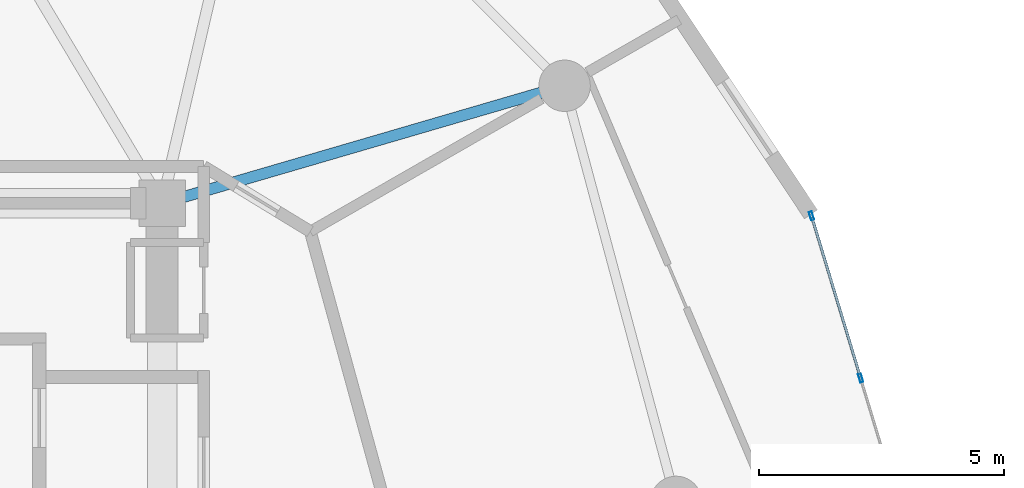
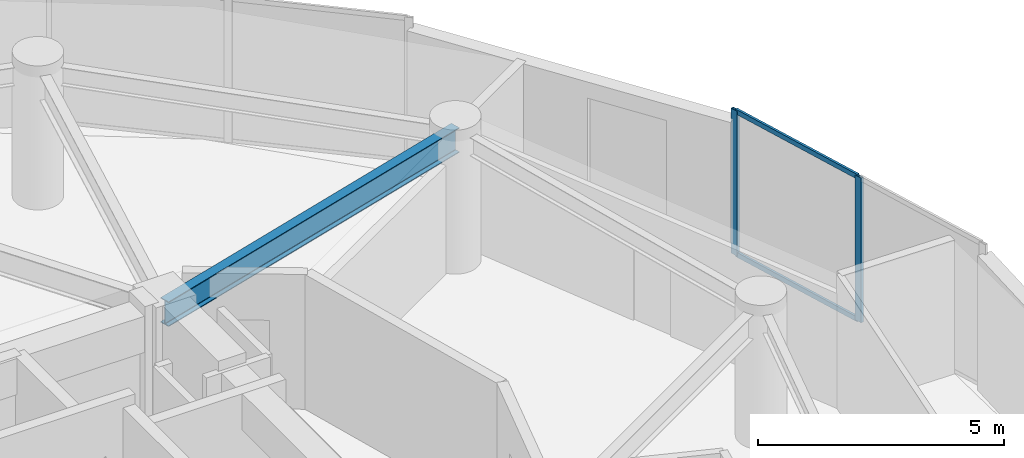
# One storey, part 14 of 26: 4 members, 1 beam, 1 element without a shape of its own.
"""IFC4 building model written with IfcOpenShell, lengths in metres."""

from ifc_helpers import new_model, si_unit, direction, frame, origin, origin_2d, place, context, subcontext, project, spatial, hollow_rectangle, i_section, extrude, source, transform, mapped, material, layer, layer_set, material_profile, profile_set, type_object, element, aggregate, save


model = new_model("IFC4")

# Units and contexts
model_context = context("Model", 3, precision=1e-05, world=origin(), true_north=direction((0.0, 1.0)))
body_context = subcontext(model_context, "Body", "Model", "MODEL_VIEW")
ifc_project = project(units=[si_unit("LENGTHUNIT", "METRE"), si_unit("AREAUNIT", "SQUARE_METRE"), si_unit("VOLUMEUNIT", "CUBIC_METRE"), si_unit("PLANEANGLEUNIT", "RADIAN"), si_unit("MASSUNIT", "GRAM", prefix="KILO")], contexts=[model_context])

# Site, building, storey
site_placement = place(None, origin())
site = spatial("IfcSite", under=ifc_project, at=site_placement, CompositionType="ELEMENT")
building_placement = place(site_placement, origin())
building = spatial("IfcBuilding", under=site, at=building_placement, Name="Solvirekh Grand Hotel", CompositionType="ELEMENT")
storey_placement = place(building_placement, frame((0.0, 0.0, 113.39990234375)))
storey = spatial("IfcBuildingStorey", under=building, at=storey_placement, Name="L28", CompositionType="ELEMENT", Elevation=113.39990234375)

# Beam
ifc_material_1 = material(Name="Steel S355", Category="steel")
ifc_material_profile_1 = material_profile(ifc_material_1, i_section(OverallWidth=0.22802734375, OverallDepth=0.616943359375, WebThickness=0.012939453125, FlangeThickness=0.02001953125, FilletRadius=0.014892578125, at=origin_2d()), Name="W610X140")
ifc_profile_set_1 = profile_set([ifc_material_profile_1], Name="Steel S355")
beam_type = type_object("IfcBeamType", Name="Beam_Radial_W610", PredefinedType="BEAM", material=ifc_profile_set_1)
beam_placement = place(storey_placement, frame((6.5, 6.10009765625, 3.0419921875), z_axis=(0.959942195467, 0.28019811092, 0.0), x_axis=(-0.28019811092, 0.959942195467, 0.0)))
element("IfcBeam", 1, at=beam_placement, inside=storey, type_object=beam_type, Name="L28 radial floor beam R02", PredefinedType="BEAM", context=body_context, shape_type="SweptSolid", body=[
    extrude(i_section(OverallWidth=0.22802734375, OverallDepth=0.616943359375, WebThickness=0.012939453125, FlangeThickness=0.02001953125, FilletRadius=0.014892578125, at=origin_2d()), origin(), (0.0, 0.0, 1.0), 8.56494140625),
])

# Curtain wall, members
ifc_material_2 = material(Name="Anodized Bronze Aluminium 6063-T6", Category="aluminium")
ifc_layer = layer(ifc_material_2, 0.175048828125)
ifc_layer_set = layer_set([ifc_layer], Name="Anodized Bronze Aluminium 6063-T6")
curtain_wall_type = type_object("IfcCurtainWallType", Name="CW_Sys3_MidZoneFlushBronzeCW", PredefinedType="NOTDEFINED", material=ifc_layer_set)
curtain_wall_placement = place(storey_placement, origin())
curtain_wall = element("IfcCurtainWall", 2, at=curtain_wall_placement, inside=storey, type_object=curtain_wall_type, Name="L28 unitised bronze-glass curtain wall CW-L28-C03", PredefinedType="NOTDEFINED")
ifc_material_profile_2 = material_profile(ifc_material_2, hollow_rectangle(XDim=0.054931640625, YDim=0.1201171875, WallThickness=0.00390625, at=origin_2d()), Name="ALU RHS 120X55X4")
ifc_profile_set_2 = profile_set([ifc_material_profile_2], Name="Anodized Bronze Aluminium 6063-T6")
member_type_1 = type_object("IfcMemberType", Name="CWTransom_Sys3", PredefinedType="USERDEFINED", material=ifc_profile_set_2)
shared_shape_1 = source(origin(), body_context, "Body", "SweptSolid", [
    extrude(hollow_rectangle(XDim=0.054931640625, YDim=0.1201171875, WallThickness=0.00390625, at=origin_2d()), origin(), (0.0, 0.0, 1.0), 3.397216796875),
])
member_1_placement = place(storey_placement, frame((20.760009765625, 2.560546875, 0.027587890625), z_axis=(-0.289977476348, 0.957033470267, 0.0), x_axis=(-0.957033470267, -0.289977476348, 0.0)))
member_1 = element("IfcMember", 3, at=member_1_placement, type_object=member_type_1, Name="U03 transom 2.1", ObjectType="TRANSOM", PredefinedType="USERDEFINED", context=body_context, shape_type="MappedRepresentation", body=[
    mapped(shared_shape_1, transform((0.0, 0.0, 0.0), x_axis=(1.0, 0.0, 0.0), y_axis=(0.0, 1.0, 0.0), z_axis=(0.0, 0.0, 1.0), scale=1.0)),
])
member_2_placement = place(storey_placement, frame((20.760009765625, 2.560546875, 3.572509765625), z_axis=(-0.289977476348, 0.957033470267, 0.0), x_axis=(-0.957033470267, -0.289977476348, 0.0)))
member_2 = element("IfcMember", 4, at=member_2_placement, type_object=member_type_1, Name="U03 transom 2.2", ObjectType="TRANSOM", PredefinedType="USERDEFINED", context=body_context, shape_type="MappedRepresentation", body=[
    mapped(shared_shape_1, transform((0.0, 0.0, 0.0), x_axis=(1.0, 0.0, 0.0), y_axis=(0.0, 1.0, 0.0), z_axis=(0.0, 0.0, 1.0), scale=1.0)),
])
ifc_material_profile_3 = material_profile(ifc_material_2, hollow_rectangle(XDim=0.06494140625, YDim=0.175048828125, WallThickness=0.0048828125, at=origin_2d()), Name="ALU RHS 175X65X5")
ifc_profile_set_3 = profile_set([ifc_material_profile_3], Name="Anodized Bronze Aluminium 6063-T6")
member_type_2 = type_object("IfcMemberType", Name="CWMullion_Sys3", PredefinedType="MULLION", material=ifc_profile_set_3)
shared_shape_2 = source(origin(), body_context, "Body", "SweptSolid", [
    extrude(hollow_rectangle(XDim=0.06494140625, YDim=0.175048828125, WallThickness=0.0048828125, at=origin_2d()), origin(), (0.0, 0.0, 1.0), 3.60009765625),
])
member_3_placement = place(storey_placement, frame((20.76953125, 2.529541015625, 0.0), z_axis=(0.0, 0.0, 1.0), x_axis=(-0.957023201108, -0.290011366226, 0.0)))
member_3 = element("IfcMember", 5, at=member_3_placement, type_object=member_type_2, Name="U03 mullion 2", PredefinedType="MULLION", context=body_context, shape_type="MappedRepresentation", body=[
    mapped(shared_shape_2, transform((0.0, 0.0, 0.0), x_axis=(1.0, 0.0, 0.0), y_axis=(0.0, 1.0, 0.0), z_axis=(0.0, 0.0, 1.0), scale=1.0)),
])
member_4_placement = place(storey_placement, frame((19.765380859375, 5.843017578125, 0.0), z_axis=(0.0, 0.0, 1.0), x_axis=(-0.957023201108, -0.290011366226, 0.0)))
member_4 = element("IfcMember", 6, at=member_4_placement, type_object=member_type_2, Name="U03 mullion 3", PredefinedType="MULLION", context=body_context, shape_type="MappedRepresentation", body=[
    mapped(shared_shape_2, transform((0.0, 0.0, 0.0), x_axis=(1.0, 0.0, 0.0), y_axis=(0.0, 1.0, 0.0), z_axis=(0.0, 0.0, 1.0), scale=1.0)),
])
aggregate(curtain_wall, [member_3, member_4, member_1, member_2])

save(model, "model.ifc")
